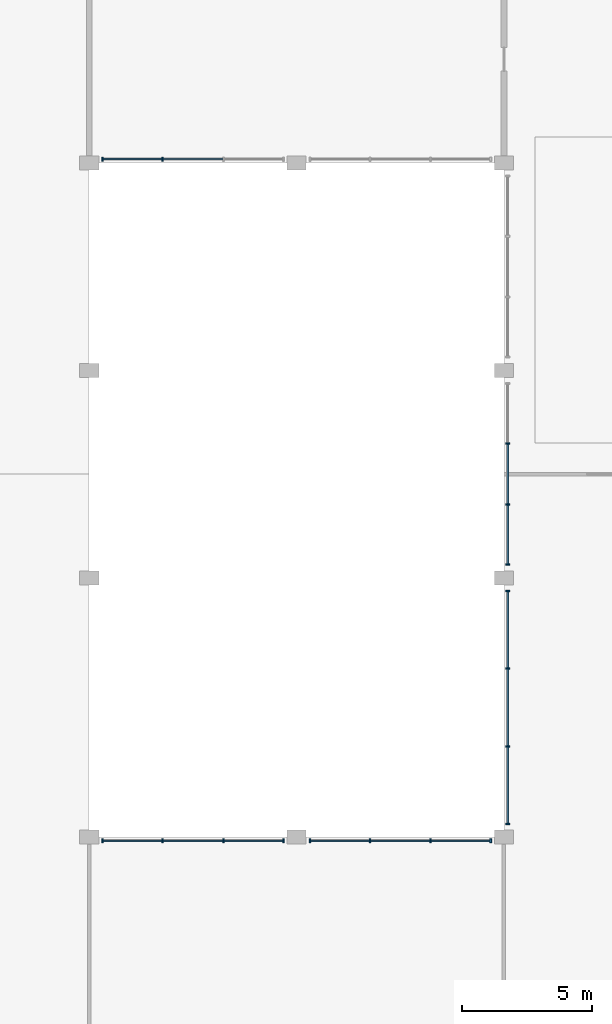
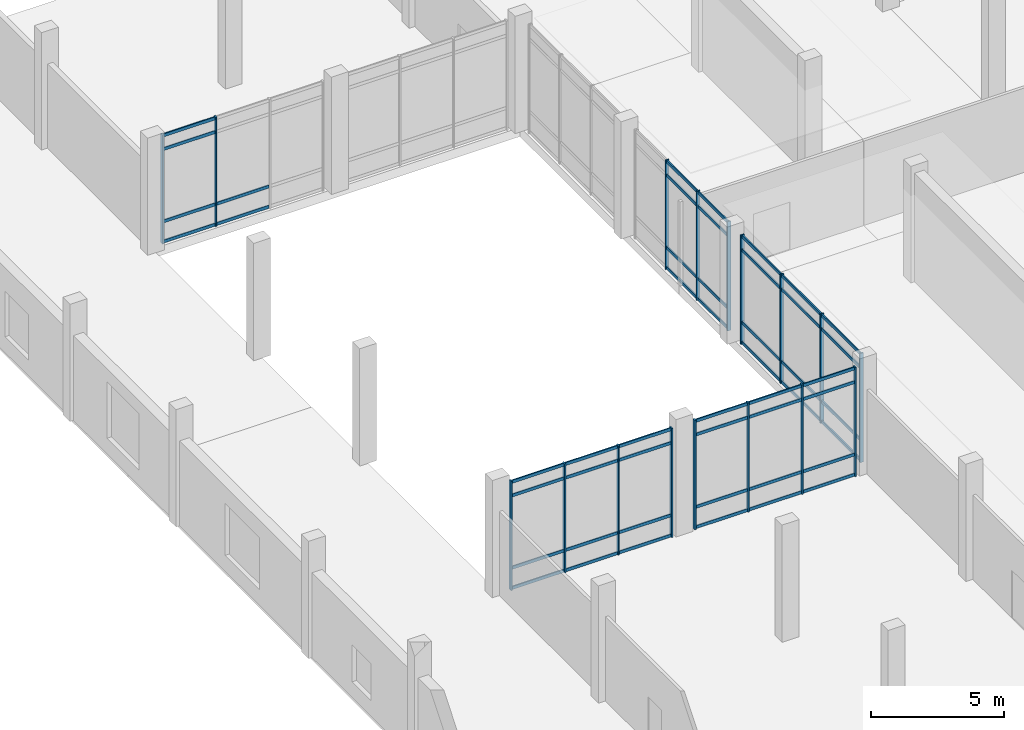
# One storey, part 8 of 42: 67 members, 5 elements without a shape of their own.
"""IFC4 building model written with IfcOpenShell, lengths in metres."""

from ifc_helpers import new_model, si_unit, direction, frame, origin, origin_2d, place, context, subcontext, project, spatial, rectangle, extrude, material, material_profile, profile_set, type_object, element, aggregate, save


model = new_model("IFC4")

# Units and contexts
model_context = context("Model", 3, precision=1e-05, world=origin(), true_north=direction((0.0, 1.0)))
body_context = subcontext(model_context, "Body", "Model", "MODEL_VIEW")
ifc_project = project(units=[si_unit("LENGTHUNIT", "METRE"), si_unit("AREAUNIT", "SQUARE_METRE"), si_unit("VOLUMEUNIT", "CUBIC_METRE"), si_unit("PLANEANGLEUNIT", "RADIAN"), si_unit("MASSUNIT", "GRAM", prefix="KILO")], contexts=[model_context])

# Site, building, storey
site_placement = place(None, origin())
site = spatial("IfcSite", under=ifc_project, at=site_placement, CompositionType="ELEMENT")
building_placement = place(site_placement, origin())
building = spatial("IfcBuilding", under=site, at=building_placement, Name="Pecanmere Concourse Central Library", CompositionType="ELEMENT")
storey_placement = place(building_placement, origin())
storey = spatial("IfcBuildingStorey", under=building, at=storey_placement, Name="L01", CompositionType="ELEMENT", Elevation=0.0)

# Curtain wall, members
ifc_material_1 = material(Name="Clear anodized aluminium alloy 6063-T6", Category="aluminium")
curtain_wall_type = type_object("IfcCurtainWallType", Name="CW_CLOISTER_GLAZ", PredefinedType="USERDEFINED", material=ifc_material_1)
curtain_wall_1_placement = place(storey_placement, origin())
curtain_wall_1 = element("IfcCurtainWall", 1, at=curtain_wall_1_placement, inside=storey, type_object=curtain_wall_type, Name="Unitised Curtain Wall CW-04 L01-102", ObjectType="UNITISED CURTAIN WALL", PredefinedType="USERDEFINED")
ifc_material_2 = material(Name="Clear anodized aluminium alloy 6063-T6", Category="aluminium")
ifc_material_profile_1 = material_profile(ifc_material_2, rectangle(XDim=0.06005859375, YDim=0.14990234375, at=origin_2d()), Name="AL 60x150")
ifc_profile_set_1 = profile_set([ifc_material_profile_1], Name="Clear anodized aluminium alloy 6063-T6")
member_type_1 = type_object("IfcMemberType", Name="CWM_150x60", PredefinedType="MULLION", material=ifc_profile_set_1)
member_1_placement = place(storey_placement, frame((48.14990234375, 73.489990234375, 0.0), z_axis=(0.0, 0.0, 1.0), x_axis=(0.0, -1.0, 0.0)))
member_1 = element("IfcMember", 2, at=member_1_placement, type_object=member_type_1, Name="CW-04 Mullion 1", PredefinedType="MULLION", context=body_context, shape_type="SweptSolid", body=[
    extrude(rectangle(XDim=0.06005859375, YDim=0.14990234375, at=origin_2d()), origin(), (0.0, 0.0, 1.0), 5.030029296875),
])
member_2_placement = place(storey_placement, frame((48.14990234375, 70.506591796875, 0.0), z_axis=(0.0, 0.0, 1.0), x_axis=(0.0, -1.0, 0.0)))
member_2 = element("IfcMember", 3, at=member_2_placement, type_object=member_type_1, Name="CW-04 Mullion 2", PredefinedType="MULLION", context=body_context, shape_type="SweptSolid", body=[
    extrude(rectangle(XDim=0.06005859375, YDim=0.14990234375, at=origin_2d()), origin(), (0.0, 0.0, 1.0), 5.030029296875),
])
member_3_placement = place(storey_placement, frame((48.14990234375, 67.493408203125, 0.0), z_axis=(0.0, 0.0, 1.0), x_axis=(0.0, -1.0, 0.0)))
member_3 = element("IfcMember", 4, at=member_3_placement, type_object=member_type_1, Name="CW-04 Mullion 3", PredefinedType="MULLION", context=body_context, shape_type="SweptSolid", body=[
    extrude(rectangle(XDim=0.06005859375, YDim=0.14990234375, at=origin_2d()), origin(), (0.0, 0.0, 1.0), 5.030029296875),
])
member_4_placement = place(storey_placement, frame((48.14990234375, 64.510009765625, 0.0), z_axis=(0.0, 0.0, 1.0), x_axis=(0.0, -1.0, 0.0)))
member_4 = element("IfcMember", 5, at=member_4_placement, type_object=member_type_1, Name="CW-04 Mullion 4", PredefinedType="MULLION", context=body_context, shape_type="SweptSolid", body=[
    extrude(rectangle(XDim=0.06005859375, YDim=0.14990234375, at=origin_2d()), origin(), (0.0, 0.0, 1.0), 5.030029296875),
])

curtain_wall_2_placement = place(storey_placement, origin())
curtain_wall_2 = element("IfcCurtainWall", 6, at=curtain_wall_2_placement, inside=storey, type_object=curtain_wall_type, Name="Unitised Curtain Wall CW-04 L01-104", ObjectType="UNITISED CURTAIN WALL", PredefinedType="USERDEFINED")
member_5_placement = place(storey_placement, frame((48.14990234375, 79.17333984375, 0.0), z_axis=(0.0, 0.0, 1.0), x_axis=(0.0, -1.0, 0.0)))
member_5 = element("IfcMember", 7, at=member_5_placement, type_object=member_type_1, Name="CW-04 Mullion 2", PredefinedType="MULLION", context=body_context, shape_type="SweptSolid", body=[
    extrude(rectangle(XDim=0.06005859375, YDim=0.14990234375, at=origin_2d()), origin(), (0.0, 0.0, 1.0), 5.030029296875),
])
member_6_placement = place(storey_placement, frame((48.14990234375, 76.82666015625, 0.0), z_axis=(0.0, 0.0, 1.0), x_axis=(0.0, -1.0, 0.0)))
member_6 = element("IfcMember", 8, at=member_6_placement, type_object=member_type_1, Name="CW-04 Mullion 3", PredefinedType="MULLION", context=body_context, shape_type="SweptSolid", body=[
    extrude(rectangle(XDim=0.06005859375, YDim=0.14990234375, at=origin_2d()), origin(), (0.0, 0.0, 1.0), 5.030029296875),
])
member_7_placement = place(storey_placement, frame((48.14990234375, 74.510009765625, 0.0), z_axis=(0.0, 0.0, 1.0), x_axis=(0.0, -1.0, 0.0)))
member_7 = element("IfcMember", 9, at=member_7_placement, type_object=member_type_1, Name="CW-04 Mullion 4", PredefinedType="MULLION", context=body_context, shape_type="SweptSolid", body=[
    extrude(rectangle(XDim=0.06005859375, YDim=0.14990234375, at=origin_2d()), origin(), (0.0, 0.0, 1.0), 5.030029296875),
])

curtain_wall_3_placement = place(storey_placement, origin())
curtain_wall_3 = element("IfcCurtainWall", 10, at=curtain_wall_3_placement, inside=storey, type_object=curtain_wall_type, Name="Unitised Curtain Wall CW-04 L01-111", ObjectType="UNITISED CURTAIN WALL", PredefinedType="USERDEFINED")
member_8_placement = place(storey_placement, frame((32.510009765625, 63.85009765625, 0.0), z_axis=(0.0, 0.0, 1.0), x_axis=(1.0, 0.0, 0.0)))
member_8 = element("IfcMember", 11, at=member_8_placement, type_object=member_type_1, Name="CW-04 Mullion 1", PredefinedType="MULLION", context=body_context, shape_type="SweptSolid", body=[
    extrude(rectangle(XDim=0.06005859375, YDim=0.14990234375, at=origin_2d()), origin(), (0.0, 0.0, 1.0), 5.030029296875),
])
member_9_placement = place(storey_placement, frame((34.82666015625, 63.85009765625, 0.0), z_axis=(0.0, 0.0, 1.0), x_axis=(1.0, 0.0, 0.0)))
member_9 = element("IfcMember", 12, at=member_9_placement, type_object=member_type_1, Name="CW-04 Mullion 2", PredefinedType="MULLION", context=body_context, shape_type="SweptSolid", body=[
    extrude(rectangle(XDim=0.06005859375, YDim=0.14990234375, at=origin_2d()), origin(), (0.0, 0.0, 1.0), 5.030029296875),
])
member_10_placement = place(storey_placement, frame((37.17333984375, 63.85009765625, 0.0), z_axis=(0.0, 0.0, 1.0), x_axis=(1.0, 0.0, 0.0)))
member_10 = element("IfcMember", 13, at=member_10_placement, type_object=member_type_1, Name="CW-04 Mullion 3", PredefinedType="MULLION", context=body_context, shape_type="SweptSolid", body=[
    extrude(rectangle(XDim=0.06005859375, YDim=0.14990234375, at=origin_2d()), origin(), (0.0, 0.0, 1.0), 5.030029296875),
])
member_11_placement = place(storey_placement, frame((39.489990234375, 63.85009765625, 0.0), z_axis=(0.0, 0.0, 1.0), x_axis=(1.0, 0.0, 0.0)))
member_11 = element("IfcMember", 14, at=member_11_placement, type_object=member_type_1, Name="CW-04 Mullion 4", PredefinedType="MULLION", context=body_context, shape_type="SweptSolid", body=[
    extrude(rectangle(XDim=0.06005859375, YDim=0.14990234375, at=origin_2d()), origin(), (0.0, 0.0, 1.0), 5.030029296875),
])

curtain_wall_4_placement = place(storey_placement, origin())
curtain_wall_4 = element("IfcCurtainWall", 15, at=curtain_wall_4_placement, inside=storey, type_object=curtain_wall_type, Name="Unitised Curtain Wall CW-04 L01-112", ObjectType="UNITISED CURTAIN WALL", PredefinedType="USERDEFINED")
member_12_placement = place(storey_placement, frame((34.82666015625, 90.14990234375, 0.0), z_axis=(0.0, 0.0, 1.0), x_axis=(-1.0, 0.0, 0.0)))
member_12 = element("IfcMember", 16, at=member_12_placement, type_object=member_type_1, Name="CW-04 Mullion 3", PredefinedType="MULLION", context=body_context, shape_type="SweptSolid", body=[
    extrude(rectangle(XDim=0.06005859375, YDim=0.14990234375, at=origin_2d()), origin(), (0.0, 0.0, 1.0), 5.030029296875),
])
member_13_placement = place(storey_placement, frame((32.510009765625, 90.14990234375, 0.0), z_axis=(0.0, 0.0, 1.0), x_axis=(-1.0, 0.0, 0.0)))
member_13 = element("IfcMember", 17, at=member_13_placement, type_object=member_type_1, Name="CW-04 Mullion 4", PredefinedType="MULLION", context=body_context, shape_type="SweptSolid", body=[
    extrude(rectangle(XDim=0.06005859375, YDim=0.14990234375, at=origin_2d()), origin(), (0.0, 0.0, 1.0), 5.030029296875),
])

curtain_wall_5_placement = place(storey_placement, origin())
curtain_wall_5 = element("IfcCurtainWall", 18, at=curtain_wall_5_placement, inside=storey, type_object=curtain_wall_type, Name="Unitised Curtain Wall CW-04 L01-113", ObjectType="UNITISED CURTAIN WALL", PredefinedType="USERDEFINED")
member_14_placement = place(storey_placement, frame((40.510009765625, 63.85009765625, 0.0), z_axis=(0.0, 0.0, 1.0), x_axis=(1.0, 0.0, 0.0)))
member_14 = element("IfcMember", 19, at=member_14_placement, type_object=member_type_1, Name="CW-04 Mullion 1", PredefinedType="MULLION", context=body_context, shape_type="SweptSolid", body=[
    extrude(rectangle(XDim=0.06005859375, YDim=0.14990234375, at=origin_2d()), origin(), (0.0, 0.0, 1.0), 5.030029296875),
])
member_15_placement = place(storey_placement, frame((42.82666015625, 63.85009765625, 0.0), z_axis=(0.0, 0.0, 1.0), x_axis=(1.0, 0.0, 0.0)))
member_15 = element("IfcMember", 20, at=member_15_placement, type_object=member_type_1, Name="CW-04 Mullion 2", PredefinedType="MULLION", context=body_context, shape_type="SweptSolid", body=[
    extrude(rectangle(XDim=0.06005859375, YDim=0.14990234375, at=origin_2d()), origin(), (0.0, 0.0, 1.0), 5.030029296875),
])
member_16_placement = place(storey_placement, frame((45.17333984375, 63.85009765625, 0.0), z_axis=(0.0, 0.0, 1.0), x_axis=(1.0, 0.0, 0.0)))
member_16 = element("IfcMember", 21, at=member_16_placement, type_object=member_type_1, Name="CW-04 Mullion 3", PredefinedType="MULLION", context=body_context, shape_type="SweptSolid", body=[
    extrude(rectangle(XDim=0.06005859375, YDim=0.14990234375, at=origin_2d()), origin(), (0.0, 0.0, 1.0), 5.030029296875),
])
member_17_placement = place(storey_placement, frame((47.489990234375, 63.85009765625, 0.0), z_axis=(0.0, 0.0, 1.0), x_axis=(1.0, 0.0, 0.0)))
member_17 = element("IfcMember", 22, at=member_17_placement, type_object=member_type_1, Name="CW-04 Mullion 4", PredefinedType="MULLION", context=body_context, shape_type="SweptSolid", body=[
    extrude(rectangle(XDim=0.06005859375, YDim=0.14990234375, at=origin_2d()), origin(), (0.0, 0.0, 1.0), 5.030029296875),
])

# Member
ifc_material_3 = material(Name="Clear anodized aluminium alloy 6063-T6", Category="aluminium")
ifc_material_profile_2 = material_profile(ifc_material_3, rectangle(XDim=0.054931640625, YDim=0.139892578125, at=origin_2d()), Name="AL 55x140")
ifc_profile_set_2 = profile_set([ifc_material_profile_2], Name="Clear anodized aluminium alloy 6063-T6")
member_type_2 = type_object("IfcMemberType", Name="CWT_140x55", PredefinedType="USERDEFINED", material=ifc_profile_set_2)
member_18_placement = place(storey_placement, frame((48.14990234375, 73.4599609375, 0.070068359375), z_axis=(0.0, -1.0, 0.0), x_axis=(1.0, 0.0, 0.0)))
member_18 = element("IfcMember", 23, at=member_18_placement, type_object=member_type_2, Name="CW-04 Transom 1.1", ObjectType="TRANSOM", PredefinedType="USERDEFINED", context=body_context, shape_type="SweptSolid", body=[
    extrude(rectangle(XDim=0.054931640625, YDim=0.139892578125, at=origin_2d()), origin(), (0.0, 0.0, 1.0), 2.92333984375),
])

member_19_placement = place(storey_placement, frame((48.14990234375, 73.4599609375, 1.0), z_axis=(0.0, -1.0, 0.0), x_axis=(1.0, 0.0, 0.0)))
member_19 = element("IfcMember", 24, at=member_19_placement, type_object=member_type_2, Name="CW-04 Transom 1.2", ObjectType="TRANSOM", PredefinedType="USERDEFINED", context=body_context, shape_type="SweptSolid", body=[
    extrude(rectangle(XDim=0.054931640625, YDim=0.139892578125, at=origin_2d()), origin(), (0.0, 0.0, 1.0), 2.92333984375),
])

member_20_placement = place(storey_placement, frame((48.14990234375, 73.4599609375, 4.330078125), z_axis=(0.0, -1.0, 0.0), x_axis=(1.0, 0.0, 0.0)))
member_20 = element("IfcMember", 25, at=member_20_placement, type_object=member_type_2, Name="CW-04 Transom 1.3", ObjectType="TRANSOM", PredefinedType="USERDEFINED", context=body_context, shape_type="SweptSolid", body=[
    extrude(rectangle(XDim=0.054931640625, YDim=0.139892578125, at=origin_2d()), origin(), (0.0, 0.0, 1.0), 2.92333984375),
])

member_21_placement = place(storey_placement, frame((48.14990234375, 73.4599609375, 4.9599609375), z_axis=(0.0, -1.0, 0.0), x_axis=(1.0, 0.0, 0.0)))
member_21 = element("IfcMember", 26, at=member_21_placement, type_object=member_type_2, Name="CW-04 Transom 1.4", ObjectType="TRANSOM", PredefinedType="USERDEFINED", context=body_context, shape_type="SweptSolid", body=[
    extrude(rectangle(XDim=0.054931640625, YDim=0.139892578125, at=origin_2d()), origin(), (0.0, 0.0, 1.0), 2.92333984375),
])

member_22_placement = place(storey_placement, frame((48.14990234375, 70.4765625, 0.070068359375), z_axis=(0.0, -1.0, 0.0), x_axis=(1.0, 0.0, 0.0)))
member_22 = element("IfcMember", 27, at=member_22_placement, type_object=member_type_2, Name="CW-04 Transom 2.1", ObjectType="TRANSOM", PredefinedType="USERDEFINED", context=body_context, shape_type="SweptSolid", body=[
    extrude(rectangle(XDim=0.054931640625, YDim=0.139892578125, at=origin_2d()), origin(), (0.0, 0.0, 1.0), 2.953125),
])

member_23_placement = place(storey_placement, frame((48.14990234375, 70.4765625, 1.0), z_axis=(0.0, -1.0, 0.0), x_axis=(1.0, 0.0, 0.0)))
member_23 = element("IfcMember", 28, at=member_23_placement, type_object=member_type_2, Name="CW-04 Transom 2.2", ObjectType="TRANSOM", PredefinedType="USERDEFINED", context=body_context, shape_type="SweptSolid", body=[
    extrude(rectangle(XDim=0.054931640625, YDim=0.139892578125, at=origin_2d()), origin(), (0.0, 0.0, 1.0), 2.953125),
])

member_24_placement = place(storey_placement, frame((48.14990234375, 70.4765625, 4.330078125), z_axis=(0.0, -1.0, 0.0), x_axis=(1.0, 0.0, 0.0)))
member_24 = element("IfcMember", 29, at=member_24_placement, type_object=member_type_2, Name="CW-04 Transom 2.3", ObjectType="TRANSOM", PredefinedType="USERDEFINED", context=body_context, shape_type="SweptSolid", body=[
    extrude(rectangle(XDim=0.054931640625, YDim=0.139892578125, at=origin_2d()), origin(), (0.0, 0.0, 1.0), 2.953125),
])

member_25_placement = place(storey_placement, frame((48.14990234375, 70.4765625, 4.9599609375), z_axis=(0.0, -1.0, 0.0), x_axis=(1.0, 0.0, 0.0)))
member_25 = element("IfcMember", 30, at=member_25_placement, type_object=member_type_2, Name="CW-04 Transom 2.4", ObjectType="TRANSOM", PredefinedType="USERDEFINED", context=body_context, shape_type="SweptSolid", body=[
    extrude(rectangle(XDim=0.054931640625, YDim=0.139892578125, at=origin_2d()), origin(), (0.0, 0.0, 1.0), 2.953125),
])

member_26_placement = place(storey_placement, frame((48.14990234375, 67.46337890625, 0.070068359375), z_axis=(0.0, -1.0, 0.0), x_axis=(1.0, 0.0, 0.0)))
member_26 = element("IfcMember", 31, at=member_26_placement, type_object=member_type_2, Name="CW-04 Transom 3.1", ObjectType="TRANSOM", PredefinedType="USERDEFINED", context=body_context, shape_type="SweptSolid", body=[
    extrude(rectangle(XDim=0.054931640625, YDim=0.139892578125, at=origin_2d()), origin(), (0.0, 0.0, 1.0), 2.92333984375),
])

member_27_placement = place(storey_placement, frame((48.14990234375, 67.46337890625, 1.0), z_axis=(0.0, -1.0, 0.0), x_axis=(1.0, 0.0, 0.0)))
member_27 = element("IfcMember", 32, at=member_27_placement, type_object=member_type_2, Name="CW-04 Transom 3.2", ObjectType="TRANSOM", PredefinedType="USERDEFINED", context=body_context, shape_type="SweptSolid", body=[
    extrude(rectangle(XDim=0.054931640625, YDim=0.139892578125, at=origin_2d()), origin(), (0.0, 0.0, 1.0), 2.92333984375),
])

member_28_placement = place(storey_placement, frame((48.14990234375, 67.46337890625, 4.330078125), z_axis=(0.0, -1.0, 0.0), x_axis=(1.0, 0.0, 0.0)))
member_28 = element("IfcMember", 33, at=member_28_placement, type_object=member_type_2, Name="CW-04 Transom 3.3", ObjectType="TRANSOM", PredefinedType="USERDEFINED", context=body_context, shape_type="SweptSolid", body=[
    extrude(rectangle(XDim=0.054931640625, YDim=0.139892578125, at=origin_2d()), origin(), (0.0, 0.0, 1.0), 2.92333984375),
])

member_29_placement = place(storey_placement, frame((48.14990234375, 67.46337890625, 4.9599609375), z_axis=(0.0, -1.0, 0.0), x_axis=(1.0, 0.0, 0.0)))
member_29 = element("IfcMember", 34, at=member_29_placement, type_object=member_type_2, Name="CW-04 Transom 3.4", ObjectType="TRANSOM", PredefinedType="USERDEFINED", context=body_context, shape_type="SweptSolid", body=[
    extrude(rectangle(XDim=0.054931640625, YDim=0.139892578125, at=origin_2d()), origin(), (0.0, 0.0, 1.0), 2.92333984375),
])

aggregate(curtain_wall_1, [member_1, member_2, member_3, member_4, member_18, member_19, member_20, member_21, member_22, member_23, member_24, member_25, member_26, member_27, member_28, member_29])

member_30_placement = place(storey_placement, frame((48.14990234375, 79.143310546875, 0.070068359375), z_axis=(0.0, -1.0, 0.0), x_axis=(1.0, 0.0, 0.0)))
member_30 = element("IfcMember", 35, at=member_30_placement, type_object=member_type_2, Name="CW-04 Transom 2.1", ObjectType="TRANSOM", PredefinedType="USERDEFINED", context=body_context, shape_type="SweptSolid", body=[
    extrude(rectangle(XDim=0.054931640625, YDim=0.139892578125, at=origin_2d()), origin(), (0.0, 0.0, 1.0), 2.28662109375),
])

member_31_placement = place(storey_placement, frame((48.14990234375, 79.143310546875, 1.0), z_axis=(0.0, -1.0, 0.0), x_axis=(1.0, 0.0, 0.0)))
member_31 = element("IfcMember", 36, at=member_31_placement, type_object=member_type_2, Name="CW-04 Transom 2.2", ObjectType="TRANSOM", PredefinedType="USERDEFINED", context=body_context, shape_type="SweptSolid", body=[
    extrude(rectangle(XDim=0.054931640625, YDim=0.139892578125, at=origin_2d()), origin(), (0.0, 0.0, 1.0), 2.28662109375),
])

member_32_placement = place(storey_placement, frame((48.14990234375, 79.143310546875, 4.330078125), z_axis=(0.0, -1.0, 0.0), x_axis=(1.0, 0.0, 0.0)))
member_32 = element("IfcMember", 37, at=member_32_placement, type_object=member_type_2, Name="CW-04 Transom 2.3", ObjectType="TRANSOM", PredefinedType="USERDEFINED", context=body_context, shape_type="SweptSolid", body=[
    extrude(rectangle(XDim=0.054931640625, YDim=0.139892578125, at=origin_2d()), origin(), (0.0, 0.0, 1.0), 2.28662109375),
])

member_33_placement = place(storey_placement, frame((48.14990234375, 79.143310546875, 4.9599609375), z_axis=(0.0, -1.0, 0.0), x_axis=(1.0, 0.0, 0.0)))
member_33 = element("IfcMember", 38, at=member_33_placement, type_object=member_type_2, Name="CW-04 Transom 2.4", ObjectType="TRANSOM", PredefinedType="USERDEFINED", context=body_context, shape_type="SweptSolid", body=[
    extrude(rectangle(XDim=0.054931640625, YDim=0.139892578125, at=origin_2d()), origin(), (0.0, 0.0, 1.0), 2.28662109375),
])

member_34_placement = place(storey_placement, frame((48.14990234375, 76.796630859375, 0.070068359375), z_axis=(0.0, -1.0, 0.0), x_axis=(1.0, 0.0, 0.0)))
member_34 = element("IfcMember", 39, at=member_34_placement, type_object=member_type_2, Name="CW-04 Transom 3.1", ObjectType="TRANSOM", PredefinedType="USERDEFINED", context=body_context, shape_type="SweptSolid", body=[
    extrude(rectangle(XDim=0.054931640625, YDim=0.139892578125, at=origin_2d()), origin(), (0.0, 0.0, 1.0), 2.256591796875),
])

member_35_placement = place(storey_placement, frame((48.14990234375, 76.796630859375, 1.0), z_axis=(0.0, -1.0, 0.0), x_axis=(1.0, 0.0, 0.0)))
member_35 = element("IfcMember", 40, at=member_35_placement, type_object=member_type_2, Name="CW-04 Transom 3.2", ObjectType="TRANSOM", PredefinedType="USERDEFINED", context=body_context, shape_type="SweptSolid", body=[
    extrude(rectangle(XDim=0.054931640625, YDim=0.139892578125, at=origin_2d()), origin(), (0.0, 0.0, 1.0), 2.256591796875),
])

member_36_placement = place(storey_placement, frame((48.14990234375, 76.796630859375, 4.330078125), z_axis=(0.0, -1.0, 0.0), x_axis=(1.0, 0.0, 0.0)))
member_36 = element("IfcMember", 41, at=member_36_placement, type_object=member_type_2, Name="CW-04 Transom 3.3", ObjectType="TRANSOM", PredefinedType="USERDEFINED", context=body_context, shape_type="SweptSolid", body=[
    extrude(rectangle(XDim=0.054931640625, YDim=0.139892578125, at=origin_2d()), origin(), (0.0, 0.0, 1.0), 2.256591796875),
])

member_37_placement = place(storey_placement, frame((48.14990234375, 76.796630859375, 4.9599609375), z_axis=(0.0, -1.0, 0.0), x_axis=(1.0, 0.0, 0.0)))
member_37 = element("IfcMember", 42, at=member_37_placement, type_object=member_type_2, Name="CW-04 Transom 3.4", ObjectType="TRANSOM", PredefinedType="USERDEFINED", context=body_context, shape_type="SweptSolid", body=[
    extrude(rectangle(XDim=0.054931640625, YDim=0.139892578125, at=origin_2d()), origin(), (0.0, 0.0, 1.0), 2.256591796875),
])

aggregate(curtain_wall_2, [member_5, member_6, member_7, member_30, member_31, member_32, member_33, member_34, member_35, member_36, member_37])

member_38_placement = place(storey_placement, frame((32.5400390625, 63.85009765625, 0.070068359375), z_axis=(1.0, 0.0, 0.0), x_axis=(0.0, 1.0, 0.0)))
member_38 = element("IfcMember", 43, at=member_38_placement, type_object=member_type_2, Name="CW-04 Transom 1.1", ObjectType="TRANSOM", PredefinedType="USERDEFINED", context=body_context, shape_type="SweptSolid", body=[
    extrude(rectangle(XDim=0.054931640625, YDim=0.139892578125, at=origin_2d()), origin(), (0.0, 0.0, 1.0), 2.256591796875),
])

member_39_placement = place(storey_placement, frame((32.5400390625, 63.85009765625, 1.0), z_axis=(1.0, 0.0, 0.0), x_axis=(0.0, 1.0, 0.0)))
member_39 = element("IfcMember", 44, at=member_39_placement, type_object=member_type_2, Name="CW-04 Transom 1.2", ObjectType="TRANSOM", PredefinedType="USERDEFINED", context=body_context, shape_type="SweptSolid", body=[
    extrude(rectangle(XDim=0.054931640625, YDim=0.139892578125, at=origin_2d()), origin(), (0.0, 0.0, 1.0), 2.256591796875),
])

member_40_placement = place(storey_placement, frame((32.5400390625, 63.85009765625, 4.330078125), z_axis=(1.0, 0.0, 0.0), x_axis=(0.0, 1.0, 0.0)))
member_40 = element("IfcMember", 45, at=member_40_placement, type_object=member_type_2, Name="CW-04 Transom 1.3", ObjectType="TRANSOM", PredefinedType="USERDEFINED", context=body_context, shape_type="SweptSolid", body=[
    extrude(rectangle(XDim=0.054931640625, YDim=0.139892578125, at=origin_2d()), origin(), (0.0, 0.0, 1.0), 2.256591796875),
])

member_41_placement = place(storey_placement, frame((32.5400390625, 63.85009765625, 4.9599609375), z_axis=(1.0, 0.0, 0.0), x_axis=(0.0, 1.0, 0.0)))
member_41 = element("IfcMember", 46, at=member_41_placement, type_object=member_type_2, Name="CW-04 Transom 1.4", ObjectType="TRANSOM", PredefinedType="USERDEFINED", context=body_context, shape_type="SweptSolid", body=[
    extrude(rectangle(XDim=0.054931640625, YDim=0.139892578125, at=origin_2d()), origin(), (0.0, 0.0, 1.0), 2.256591796875),
])

member_42_placement = place(storey_placement, frame((34.856689453125, 63.85009765625, 0.070068359375), z_axis=(1.0, 0.0, 0.0), x_axis=(0.0, 1.0, 0.0)))
member_42 = element("IfcMember", 47, at=member_42_placement, type_object=member_type_2, Name="CW-04 Transom 2.1", ObjectType="TRANSOM", PredefinedType="USERDEFINED", context=body_context, shape_type="SweptSolid", body=[
    extrude(rectangle(XDim=0.054931640625, YDim=0.139892578125, at=origin_2d()), origin(), (0.0, 0.0, 1.0), 2.28662109375),
])

member_43_placement = place(storey_placement, frame((34.856689453125, 63.85009765625, 1.0), z_axis=(1.0, 0.0, 0.0), x_axis=(0.0, 1.0, 0.0)))
member_43 = element("IfcMember", 48, at=member_43_placement, type_object=member_type_2, Name="CW-04 Transom 2.2", ObjectType="TRANSOM", PredefinedType="USERDEFINED", context=body_context, shape_type="SweptSolid", body=[
    extrude(rectangle(XDim=0.054931640625, YDim=0.139892578125, at=origin_2d()), origin(), (0.0, 0.0, 1.0), 2.28662109375),
])

member_44_placement = place(storey_placement, frame((34.856689453125, 63.85009765625, 4.330078125), z_axis=(1.0, 0.0, 0.0), x_axis=(0.0, 1.0, 0.0)))
member_44 = element("IfcMember", 49, at=member_44_placement, type_object=member_type_2, Name="CW-04 Transom 2.3", ObjectType="TRANSOM", PredefinedType="USERDEFINED", context=body_context, shape_type="SweptSolid", body=[
    extrude(rectangle(XDim=0.054931640625, YDim=0.139892578125, at=origin_2d()), origin(), (0.0, 0.0, 1.0), 2.28662109375),
])

member_45_placement = place(storey_placement, frame((34.856689453125, 63.85009765625, 4.9599609375), z_axis=(1.0, 0.0, 0.0), x_axis=(0.0, 1.0, 0.0)))
member_45 = element("IfcMember", 50, at=member_45_placement, type_object=member_type_2, Name="CW-04 Transom 2.4", ObjectType="TRANSOM", PredefinedType="USERDEFINED", context=body_context, shape_type="SweptSolid", body=[
    extrude(rectangle(XDim=0.054931640625, YDim=0.139892578125, at=origin_2d()), origin(), (0.0, 0.0, 1.0), 2.28662109375),
])

member_46_placement = place(storey_placement, frame((37.203369140625, 63.85009765625, 0.070068359375), z_axis=(1.0, 0.0, 0.0), x_axis=(0.0, 1.0, 0.0)))
member_46 = element("IfcMember", 51, at=member_46_placement, type_object=member_type_2, Name="CW-04 Transom 3.1", ObjectType="TRANSOM", PredefinedType="USERDEFINED", context=body_context, shape_type="SweptSolid", body=[
    extrude(rectangle(XDim=0.054931640625, YDim=0.139892578125, at=origin_2d()), origin(), (0.0, 0.0, 1.0), 2.256591796875),
])

member_47_placement = place(storey_placement, frame((37.203369140625, 63.85009765625, 1.0), z_axis=(1.0, 0.0, 0.0), x_axis=(0.0, 1.0, 0.0)))
member_47 = element("IfcMember", 52, at=member_47_placement, type_object=member_type_2, Name="CW-04 Transom 3.2", ObjectType="TRANSOM", PredefinedType="USERDEFINED", context=body_context, shape_type="SweptSolid", body=[
    extrude(rectangle(XDim=0.054931640625, YDim=0.139892578125, at=origin_2d()), origin(), (0.0, 0.0, 1.0), 2.256591796875),
])

member_48_placement = place(storey_placement, frame((37.203369140625, 63.85009765625, 4.330078125), z_axis=(1.0, 0.0, 0.0), x_axis=(0.0, 1.0, 0.0)))
member_48 = element("IfcMember", 53, at=member_48_placement, type_object=member_type_2, Name="CW-04 Transom 3.3", ObjectType="TRANSOM", PredefinedType="USERDEFINED", context=body_context, shape_type="SweptSolid", body=[
    extrude(rectangle(XDim=0.054931640625, YDim=0.139892578125, at=origin_2d()), origin(), (0.0, 0.0, 1.0), 2.256591796875),
])

member_49_placement = place(storey_placement, frame((37.203369140625, 63.85009765625, 4.9599609375), z_axis=(1.0, 0.0, 0.0), x_axis=(0.0, 1.0, 0.0)))
member_49 = element("IfcMember", 54, at=member_49_placement, type_object=member_type_2, Name="CW-04 Transom 3.4", ObjectType="TRANSOM", PredefinedType="USERDEFINED", context=body_context, shape_type="SweptSolid", body=[
    extrude(rectangle(XDim=0.054931640625, YDim=0.139892578125, at=origin_2d()), origin(), (0.0, 0.0, 1.0), 2.256591796875),
])

aggregate(curtain_wall_3, [member_8, member_9, member_10, member_11, member_38, member_39, member_40, member_41, member_42, member_43, member_44, member_45, member_46, member_47, member_48, member_49])

member_50_placement = place(storey_placement, frame((37.143310546875, 90.14990234375, 0.070068359375), z_axis=(-1.0, 0.0, 0.0), x_axis=(0.0, -1.0, 0.0)))
member_50 = element("IfcMember", 55, at=member_50_placement, type_object=member_type_2, Name="CW-04 Transom 2.1", ObjectType="TRANSOM", PredefinedType="USERDEFINED", context=body_context, shape_type="SweptSolid", body=[
    extrude(rectangle(XDim=0.054931640625, YDim=0.139892578125, at=origin_2d()), origin(), (0.0, 0.0, 1.0), 2.28662109375),
])

member_51_placement = place(storey_placement, frame((37.143310546875, 90.14990234375, 1.0), z_axis=(-1.0, 0.0, 0.0), x_axis=(0.0, -1.0, 0.0)))
member_51 = element("IfcMember", 56, at=member_51_placement, type_object=member_type_2, Name="CW-04 Transom 2.2", ObjectType="TRANSOM", PredefinedType="USERDEFINED", context=body_context, shape_type="SweptSolid", body=[
    extrude(rectangle(XDim=0.054931640625, YDim=0.139892578125, at=origin_2d()), origin(), (0.0, 0.0, 1.0), 2.28662109375),
])

member_52_placement = place(storey_placement, frame((34.796630859375, 90.14990234375, 0.070068359375), z_axis=(-1.0, 0.0, 0.0), x_axis=(0.0, -1.0, 0.0)))
member_52 = element("IfcMember", 57, at=member_52_placement, type_object=member_type_2, Name="CW-04 Transom 3.1", ObjectType="TRANSOM", PredefinedType="USERDEFINED", context=body_context, shape_type="SweptSolid", body=[
    extrude(rectangle(XDim=0.054931640625, YDim=0.139892578125, at=origin_2d()), origin(), (0.0, 0.0, 1.0), 2.256591796875),
])

member_53_placement = place(storey_placement, frame((34.796630859375, 90.14990234375, 1.0), z_axis=(-1.0, 0.0, 0.0), x_axis=(0.0, -1.0, 0.0)))
member_53 = element("IfcMember", 58, at=member_53_placement, type_object=member_type_2, Name="CW-04 Transom 3.2", ObjectType="TRANSOM", PredefinedType="USERDEFINED", context=body_context, shape_type="SweptSolid", body=[
    extrude(rectangle(XDim=0.054931640625, YDim=0.139892578125, at=origin_2d()), origin(), (0.0, 0.0, 1.0), 2.256591796875),
])

member_54_placement = place(storey_placement, frame((34.796630859375, 90.14990234375, 4.330078125), z_axis=(-1.0, 0.0, 0.0), x_axis=(0.0, -1.0, 0.0)))
member_54 = element("IfcMember", 59, at=member_54_placement, type_object=member_type_2, Name="CW-04 Transom 3.3", ObjectType="TRANSOM", PredefinedType="USERDEFINED", context=body_context, shape_type="SweptSolid", body=[
    extrude(rectangle(XDim=0.054931640625, YDim=0.139892578125, at=origin_2d()), origin(), (0.0, 0.0, 1.0), 2.256591796875),
])

member_55_placement = place(storey_placement, frame((34.796630859375, 90.14990234375, 4.9599609375), z_axis=(-1.0, 0.0, 0.0), x_axis=(0.0, -1.0, 0.0)))
member_55 = element("IfcMember", 60, at=member_55_placement, type_object=member_type_2, Name="CW-04 Transom 3.4", ObjectType="TRANSOM", PredefinedType="USERDEFINED", context=body_context, shape_type="SweptSolid", body=[
    extrude(rectangle(XDim=0.054931640625, YDim=0.139892578125, at=origin_2d()), origin(), (0.0, 0.0, 1.0), 2.256591796875),
])

aggregate(curtain_wall_4, [member_12, member_13, member_50, member_51, member_52, member_53, member_54, member_55])

member_56_placement = place(storey_placement, frame((40.5400390625, 63.85009765625, 0.070068359375), z_axis=(1.0, 0.0, 0.0), x_axis=(0.0, 1.0, 0.0)))
member_56 = element("IfcMember", 61, at=member_56_placement, type_object=member_type_2, Name="CW-04 Transom 1.1", ObjectType="TRANSOM", PredefinedType="USERDEFINED", context=body_context, shape_type="SweptSolid", body=[
    extrude(rectangle(XDim=0.054931640625, YDim=0.139892578125, at=origin_2d()), origin(), (0.0, 0.0, 1.0), 2.256591796875),
])

member_57_placement = place(storey_placement, frame((40.5400390625, 63.85009765625, 1.0), z_axis=(1.0, 0.0, 0.0), x_axis=(0.0, 1.0, 0.0)))
member_57 = element("IfcMember", 62, at=member_57_placement, type_object=member_type_2, Name="CW-04 Transom 1.2", ObjectType="TRANSOM", PredefinedType="USERDEFINED", context=body_context, shape_type="SweptSolid", body=[
    extrude(rectangle(XDim=0.054931640625, YDim=0.139892578125, at=origin_2d()), origin(), (0.0, 0.0, 1.0), 2.256591796875),
])

member_58_placement = place(storey_placement, frame((40.5400390625, 63.85009765625, 4.330078125), z_axis=(1.0, 0.0, 0.0), x_axis=(0.0, 1.0, 0.0)))
member_58 = element("IfcMember", 63, at=member_58_placement, type_object=member_type_2, Name="CW-04 Transom 1.3", ObjectType="TRANSOM", PredefinedType="USERDEFINED", context=body_context, shape_type="SweptSolid", body=[
    extrude(rectangle(XDim=0.054931640625, YDim=0.139892578125, at=origin_2d()), origin(), (0.0, 0.0, 1.0), 2.256591796875),
])

member_59_placement = place(storey_placement, frame((40.5400390625, 63.85009765625, 4.9599609375), z_axis=(1.0, 0.0, 0.0), x_axis=(0.0, 1.0, 0.0)))
member_59 = element("IfcMember", 64, at=member_59_placement, type_object=member_type_2, Name="CW-04 Transom 1.4", ObjectType="TRANSOM", PredefinedType="USERDEFINED", context=body_context, shape_type="SweptSolid", body=[
    extrude(rectangle(XDim=0.054931640625, YDim=0.139892578125, at=origin_2d()), origin(), (0.0, 0.0, 1.0), 2.256591796875),
])

member_60_placement = place(storey_placement, frame((42.856689453125, 63.85009765625, 0.070068359375), z_axis=(1.0, 0.0, 0.0), x_axis=(0.0, 1.0, 0.0)))
member_60 = element("IfcMember", 65, at=member_60_placement, type_object=member_type_2, Name="CW-04 Transom 2.1", ObjectType="TRANSOM", PredefinedType="USERDEFINED", context=body_context, shape_type="SweptSolid", body=[
    extrude(rectangle(XDim=0.054931640625, YDim=0.139892578125, at=origin_2d()), origin(), (0.0, 0.0, 1.0), 2.28662109375),
])

member_61_placement = place(storey_placement, frame((42.856689453125, 63.85009765625, 1.0), z_axis=(1.0, 0.0, 0.0), x_axis=(0.0, 1.0, 0.0)))
member_61 = element("IfcMember", 66, at=member_61_placement, type_object=member_type_2, Name="CW-04 Transom 2.2", ObjectType="TRANSOM", PredefinedType="USERDEFINED", context=body_context, shape_type="SweptSolid", body=[
    extrude(rectangle(XDim=0.054931640625, YDim=0.139892578125, at=origin_2d()), origin(), (0.0, 0.0, 1.0), 2.28662109375),
])

member_62_placement = place(storey_placement, frame((42.856689453125, 63.85009765625, 4.330078125), z_axis=(1.0, 0.0, 0.0), x_axis=(0.0, 1.0, 0.0)))
member_62 = element("IfcMember", 67, at=member_62_placement, type_object=member_type_2, Name="CW-04 Transom 2.3", ObjectType="TRANSOM", PredefinedType="USERDEFINED", context=body_context, shape_type="SweptSolid", body=[
    extrude(rectangle(XDim=0.054931640625, YDim=0.139892578125, at=origin_2d()), origin(), (0.0, 0.0, 1.0), 2.28662109375),
])

member_63_placement = place(storey_placement, frame((42.856689453125, 63.85009765625, 4.9599609375), z_axis=(1.0, 0.0, 0.0), x_axis=(0.0, 1.0, 0.0)))
member_63 = element("IfcMember", 68, at=member_63_placement, type_object=member_type_2, Name="CW-04 Transom 2.4", ObjectType="TRANSOM", PredefinedType="USERDEFINED", context=body_context, shape_type="SweptSolid", body=[
    extrude(rectangle(XDim=0.054931640625, YDim=0.139892578125, at=origin_2d()), origin(), (0.0, 0.0, 1.0), 2.28662109375),
])

member_64_placement = place(storey_placement, frame((45.203369140625, 63.85009765625, 0.070068359375), z_axis=(1.0, 0.0, 0.0), x_axis=(0.0, 1.0, 0.0)))
member_64 = element("IfcMember", 69, at=member_64_placement, type_object=member_type_2, Name="CW-04 Transom 3.1", ObjectType="TRANSOM", PredefinedType="USERDEFINED", context=body_context, shape_type="SweptSolid", body=[
    extrude(rectangle(XDim=0.054931640625, YDim=0.139892578125, at=origin_2d()), origin(), (0.0, 0.0, 1.0), 2.256591796875),
])

member_65_placement = place(storey_placement, frame((45.203369140625, 63.85009765625, 1.0), z_axis=(1.0, 0.0, 0.0), x_axis=(0.0, 1.0, 0.0)))
member_65 = element("IfcMember", 70, at=member_65_placement, type_object=member_type_2, Name="CW-04 Transom 3.2", ObjectType="TRANSOM", PredefinedType="USERDEFINED", context=body_context, shape_type="SweptSolid", body=[
    extrude(rectangle(XDim=0.054931640625, YDim=0.139892578125, at=origin_2d()), origin(), (0.0, 0.0, 1.0), 2.256591796875),
])

member_66_placement = place(storey_placement, frame((45.203369140625, 63.85009765625, 4.330078125), z_axis=(1.0, 0.0, 0.0), x_axis=(0.0, 1.0, 0.0)))
member_66 = element("IfcMember", 71, at=member_66_placement, type_object=member_type_2, Name="CW-04 Transom 3.3", ObjectType="TRANSOM", PredefinedType="USERDEFINED", context=body_context, shape_type="SweptSolid", body=[
    extrude(rectangle(XDim=0.054931640625, YDim=0.139892578125, at=origin_2d()), origin(), (0.0, 0.0, 1.0), 2.256591796875),
])

member_67_placement = place(storey_placement, frame((45.203369140625, 63.85009765625, 4.9599609375), z_axis=(1.0, 0.0, 0.0), x_axis=(0.0, 1.0, 0.0)))
member_67 = element("IfcMember", 72, at=member_67_placement, type_object=member_type_2, Name="CW-04 Transom 3.4", ObjectType="TRANSOM", PredefinedType="USERDEFINED", context=body_context, shape_type="SweptSolid", body=[
    extrude(rectangle(XDim=0.054931640625, YDim=0.139892578125, at=origin_2d()), origin(), (0.0, 0.0, 1.0), 2.256591796875),
])

aggregate(curtain_wall_5, [member_14, member_15, member_16, member_17, member_56, member_57, member_58, member_59, member_60, member_61, member_62, member_63, member_64, member_65, member_66, member_67])

save(model, "model.ifc")
